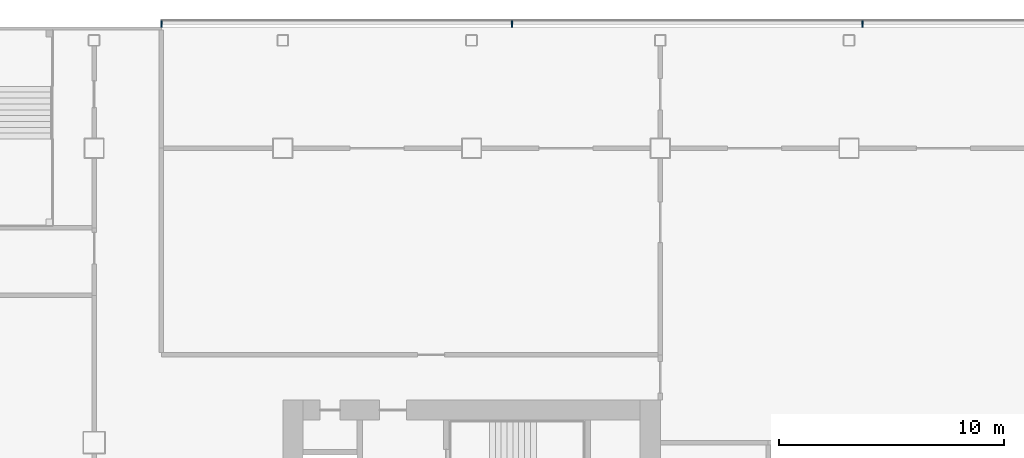
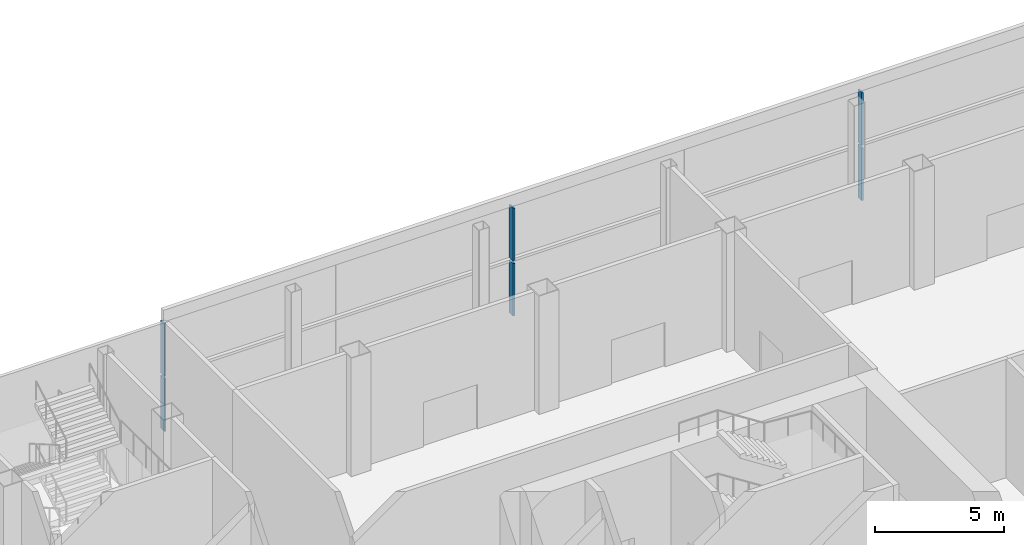
# One storey, part 14 of 100: 6 members, 1 element without a shape of its own.
"""IFC4 building model written with IfcOpenShell, lengths in metres."""

from ifc_helpers import new_model, si_unit, direction, frame, origin, origin_2d, place, context, subcontext, project, spatial, rectangle, extrude, material, layer, layer_set, material_profile, profile_set, type_object, element, aggregate, save


model = new_model("IFC4")

# Units and contexts
model_context = context("Model", 3, precision=1e-05, world=origin(), true_north=direction((0.0, 1.0)))
body_context = subcontext(model_context, "Body", "Model", "MODEL_VIEW")
ifc_project = project(units=[si_unit("LENGTHUNIT", "METRE"), si_unit("AREAUNIT", "SQUARE_METRE"), si_unit("VOLUMEUNIT", "CUBIC_METRE"), si_unit("PLANEANGLEUNIT", "RADIAN"), si_unit("MASSUNIT", "GRAM", prefix="KILO")], contexts=[model_context])

# Site, building, storey
site_placement = place(None, origin())
site = spatial("IfcSite", under=ifc_project, at=site_placement, CompositionType="ELEMENT")
building_placement = place(site_placement, origin())
building = spatial("IfcBuilding", under=site, at=building_placement, Name="Hakoniwa Tower and Hamabe Station Hall", CompositionType="ELEMENT")
storey_placement = place(building_placement, frame((0.0, 0.0, 9.0)))
storey = spatial("IfcBuildingStorey", under=building, at=storey_placement, Name="L02", CompositionType="ELEMENT", Elevation=9.0)

# Curtain wall, members
ifc_material_1 = material(Name="Dark low-e laminated glass", Category="glass")
ifc_layer = layer(ifc_material_1, 0.199951171875)
ifc_layer_set = layer_set([ifc_layer], Name="CW-3 PODIUM LOBBY")
curtain_wall_type = type_object("IfcCurtainWallType", Name="CW-3 PODIUM LOBBY", PredefinedType="NOTDEFINED", material=ifc_layer_set)
curtain_wall_placement = place(storey_placement, origin())
curtain_wall = element("IfcCurtainWall", 1, at=curtain_wall_placement, inside=storey, type_object=curtain_wall_type, Name="Podium curtain wall L02 north 4", PredefinedType="NOTDEFINED")
ifc_material_2 = material(Name="Aluminium 6063-T5 black anodised", Category="aluminium")
ifc_material_profile = material_profile(ifc_material_2, rectangle(XDim=0.080078125, YDim=0.300048828125, at=origin_2d()), Name="CW-3 MULLION 80X300")
ifc_profile_set = profile_set([ifc_material_profile], Name="Aluminium 6063-T5 black anodised")
member_type = type_object("IfcMemberType", Name="CW-3 MULLION 80X300", PredefinedType="MULLION", material=ifc_profile_set)
member_1_placement = place(storey_placement, frame((-7.800048828125, 25.1220703125, 0.35009765625), z_axis=(0.0, 0.0, 1.0), x_axis=(-1.0, 0.0, 0.0)))
member_1 = element("IfcMember", 2, at=member_1_placement, type_object=member_type, Name="CW-3 mullion", PredefinedType="MULLION", context=body_context, shape_type="SweptSolid", body=[
    extrude(rectangle(XDim=0.080078125, YDim=0.300048828125, at=origin_2d()), origin(), (0.0, 0.0, 1.0), 2.489990234375),
])
member_2_placement = place(storey_placement, frame((-7.800048828125, 25.1220703125, 2.9599609375), z_axis=(0.0, 0.0, 1.0), x_axis=(-1.0, 0.0, 0.0)))
member_2 = element("IfcMember", 3, at=member_2_placement, type_object=member_type, Name="CW-3 mullion", PredefinedType="MULLION", context=body_context, shape_type="SweptSolid", body=[
    extrude(rectangle(XDim=0.080078125, YDim=0.300048828125, at=origin_2d()), origin(), (0.0, 0.0, 1.0), 2.489990234375),
])
member_3_placement = place(storey_placement, frame((-23.39990234375, 25.1220703125, 0.35009765625), z_axis=(0.0, 0.0, 1.0), x_axis=(-1.0, 0.0, 0.0)))
member_3 = element("IfcMember", 4, at=member_3_placement, type_object=member_type, Name="CW-3 mullion", PredefinedType="MULLION", context=body_context, shape_type="SweptSolid", body=[
    extrude(rectangle(XDim=0.080078125, YDim=0.300048828125, at=origin_2d()), origin(), (0.0, 0.0, 1.0), 2.489990234375),
])
member_4_placement = place(storey_placement, frame((-23.39990234375, 25.1220703125, 2.9599609375), z_axis=(0.0, 0.0, 1.0), x_axis=(-1.0, 0.0, 0.0)))
member_4 = element("IfcMember", 5, at=member_4_placement, type_object=member_type, Name="CW-3 mullion", PredefinedType="MULLION", context=body_context, shape_type="SweptSolid", body=[
    extrude(rectangle(XDim=0.080078125, YDim=0.300048828125, at=origin_2d()), origin(), (0.0, 0.0, 1.0), 2.489990234375),
])
member_5_placement = place(storey_placement, frame((-39.0, 25.1220703125, 0.35009765625), z_axis=(0.0, 0.0, 1.0), x_axis=(-1.0, 0.0, 0.0)))
member_5 = element("IfcMember", 6, at=member_5_placement, type_object=member_type, Name="CW-3 mullion", PredefinedType="MULLION", context=body_context, shape_type="SweptSolid", body=[
    extrude(rectangle(XDim=0.080078125, YDim=0.300048828125, at=origin_2d()), origin(), (0.0, 0.0, 1.0), 2.489990234375),
])
member_6_placement = place(storey_placement, frame((-39.0, 25.1220703125, 2.9599609375), z_axis=(0.0, 0.0, 1.0), x_axis=(-1.0, 0.0, 0.0)))
member_6 = element("IfcMember", 7, at=member_6_placement, type_object=member_type, Name="CW-3 mullion", PredefinedType="MULLION", context=body_context, shape_type="SweptSolid", body=[
    extrude(rectangle(XDim=0.080078125, YDim=0.300048828125, at=origin_2d()), origin(), (0.0, 0.0, 1.0), 2.489990234375),
])
aggregate(curtain_wall, [member_1, member_2, member_3, member_4, member_5, member_6])

save(model, "model.ifc")
